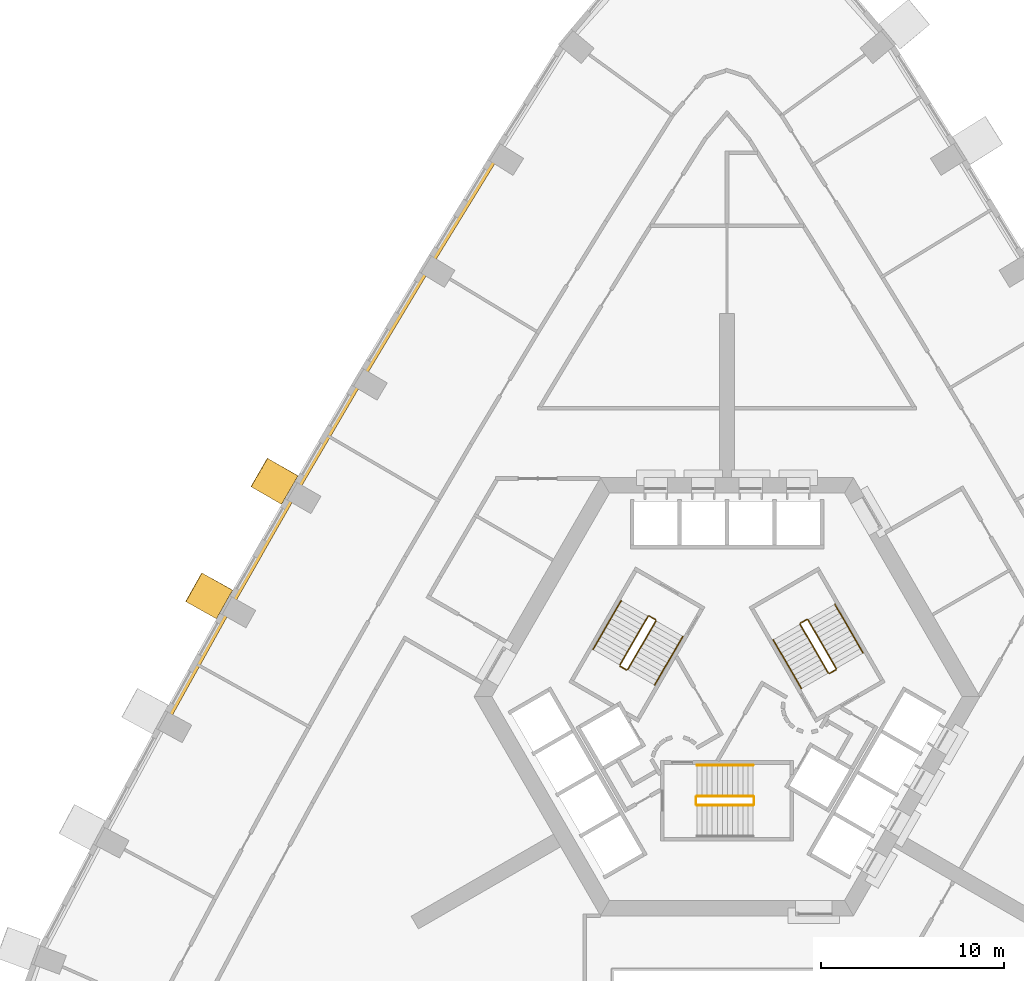
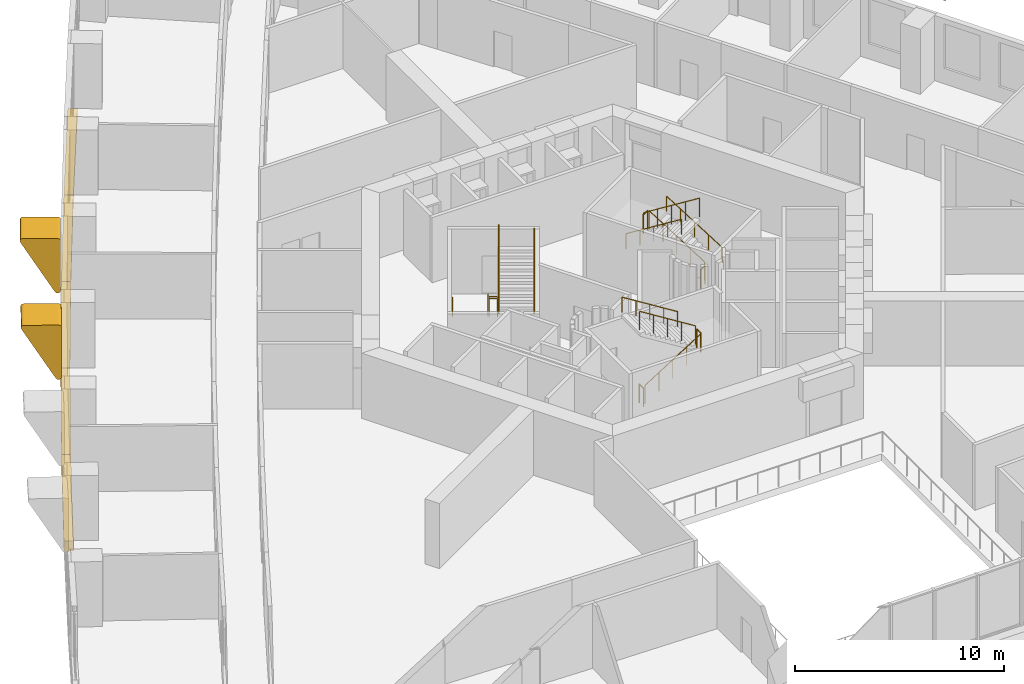
# One storey, part 14 of 15: 17 railings, 7 coverings.
"""IFC4 building model written with IfcOpenShell, lengths in metres."""

from ifc_helpers import new_model, si_unit, direction, frame, origin, origin_2d, place, context, subcontext, project, spatial, polyline, circle, outline, extrude, material, type_object, element, save


model = new_model("IFC4")

# Units and contexts
model_context = context("Model", 3, precision=1e-05, world=origin(), true_north=direction((0.0, 1.0)))
body_context = subcontext(model_context, "Body", "Model", "MODEL_VIEW")
ifc_project = project(units=[si_unit("LENGTHUNIT", "METRE"), si_unit("AREAUNIT", "SQUARE_METRE"), si_unit("VOLUMEUNIT", "CUBIC_METRE"), si_unit("PLANEANGLEUNIT", "RADIAN"), si_unit("MASSUNIT", "GRAM", prefix="KILO")], contexts=[model_context])

# Site, building, storey
site_placement = place(None, origin())
site = spatial("IfcSite", under=ifc_project, at=site_placement, CompositionType="ELEMENT")
building_placement = place(site_placement, origin())
building = spatial("IfcBuilding", under=site, at=building_placement, Name="Entoto Arch Interchange Tower", CompositionType="ELEMENT")
storey_placement = place(building_placement, frame((0.0, 0.0, 124.39990234375)))
storey = spatial("IfcBuildingStorey", under=building, at=storey_placement, Name="L27", CompositionType="ELEMENT", Elevation=124.39990234375)

# Coverings
ifc_material_1 = material(Name="Board-marked precast concrete C50/60", Category="concrete")
covering_type_1 = type_object("IfcCoveringType", Name="PRECAST FRAME COURSE", PredefinedType="CLADDING", material=ifc_material_1)
covering_1_placement = place(storey_placement, frame((-23.738037109375, 14.743896484375, 4.691162109375), z_axis=(0.500140388336, 0.865938788151, 0.003099537362), x_axis=(0.516946734937, -0.295697585507, -0.803323727499)))
element("IfcCovering", 1, at=covering_1_placement, inside=storey, type_object=covering_type_1, Name="Fold rib NW05 L27-L28", PredefinedType="CLADDING", context=body_context, shape_type="SweptSolid", body=[
    extrude(outline(polyline([(0.0, 0.0), (0.028570666671691218, 0.0), (0.057610352516691624, -0.003915163049142932), (0.09734213600752796, -0.021844387716010848), (0.13086792592598678, -0.05067223577123786), (0.15390650291182956, -0.08666665805586443), (0.1667039675143345, -0.1289373569372848), (0.16629567663061692, -0.17224991470814624), (0.15265031291816186, -0.21410701740661187), (0.13735503339616767, -0.23898326857059868), (0.11838735780776323, -0.26013212432107985), (-2.2105103916634463, -1.9868301529322256), (-2.2351475713006397, -2.0023812761392104), (-2.277663461940592, -2.0155439319840593), (-2.3215250842265487, -2.0150031016828835), (-2.3631799633377994, -2.002265580066234), (-2.400100674640114, -1.9778783645186768), (-2.419947110432887, -1.9560312913217381), (-3.399979984595618, -0.634053413354954), (-3.420746368033437, -0.5945618504862975), (-3.428207952733813, -0.5656387758727881), (-3.4290666596910784, -0.5361947718145581), (-3.4247879998200332, -0.5067082805624892), (-3.4141634002791883, -0.4788151855982328), (-3.39842362071562, -0.45331672507950094), (-3.3781688940391295, -0.43185124050557855), (-3.3535408165434832, -0.4146461874933651), (-3.32661321067979, -0.40218628910877996), (-3.2976276259265536, -0.3961888078870428), (0.0, 0.0)])), origin(), (0.0, 0.0, -1.0), 1.800048828125),
])
covering_2_placement = place(storey_placement, frame((-27.323974609375, 8.47998046875, 4.692138671875), z_axis=(0.489637789698, 0.871921029133, 0.002924697337), x_axis=(0.546388938074, -0.304213842162, -0.780328819529)))
element("IfcCovering", 2, at=covering_2_placement, inside=storey, type_object=covering_type_1, Name="Fold rib NW06 L27-L28", PredefinedType="CLADDING", context=body_context, shape_type="SweptSolid", body=[
    extrude(outline(polyline([(0.0, 0.0), (0.043490028193446995, 0.0), (0.07186840916622605, -0.0065203200466328465), (0.09885996424286905, -0.01755997031124379), (0.13238177735718543, -0.045334975770120384), (0.15799561014853228, -0.08041909181372783), (0.1713709789914825, -0.1224824904477769), (0.1725930553207981, -0.16578060667910735), (0.16182569023801868, -0.20817178618865245), (0.14747150024658634, -0.23359866357735337), (0.12806289672482152, -0.2558343737097621), (-2.1329737863867257, -2.068540292243241), (-2.1570087220305663, -2.085006962219482), (-2.1991336636901506, -2.0995926551445283), (-2.2428521487990802, -2.1008669305082357), (-2.2851864307709584, -2.089425321107239), (-2.322697440479203, -2.0668240486641714), (-2.343787432320063, -2.0451917438847844), (-3.3710247759267524, -0.7633993144007585), (-3.393421117130608, -0.7245258789385847), (-3.4020381564563733, -0.695812386941649), (-3.404004279110872, -0.6664210856745267), (-3.400536815845894, -0.6371743626103827), (-3.3909687879772674, -0.6089016798756475), (-3.376502380078499, -0.5824468745595595), (-3.3572271722935687, -0.5600452720018645), (-3.3332608635644814, -0.5419296425791977), (-3.306364032733981, -0.5290325119982586), (-3.2781562083147677, -0.5212878002108201), (0.0, 0.0)])), origin(), (0.0, 0.0, -1.0), 1.800048828125),
])
covering_type_2 = type_object("IfcCoveringType", Name="PRECAST LEDGE COURSE", PredefinedType="CLADDING", material=ifc_material_1)
covering_3_placement = place(storey_placement, frame((0.0, 0.0, -1.0)))
element("IfcCovering", 3, at=covering_3_placement, inside=storey, type_object=covering_type_2, Name="Precast course NW-02 L27", PredefinedType="CLADDING", context=body_context, shape_type="SweptSolid", body=[
    extrude(outline(polyline([(-16.2109375, 26.007080078125), (-16.60009765625, 26.243896484375), (-12.8291015625, 32.39404296875), (-12.43798828125, 32.14990234375), (-16.2109375, 26.007080078125)])), origin(), (0.0, 0.0, 1.0), 0.60009765625),
])
covering_4_placement = place(storey_placement, frame((0.0, 0.0, -1.0)))
element("IfcCovering", 4, at=covering_4_placement, inside=storey, type_object=covering_type_2, Name="Precast course NW-03 L27", PredefinedType="CLADDING", context=body_context, shape_type="SweptSolid", body=[
    extrude(outline(polyline([(-19.9169921875, 19.822998046875), (-20.305908203125, 20.053955078125), (-16.60009765625, 26.243896484375), (-16.2109375, 26.007080078125), (-19.9169921875, 19.822998046875)])), origin(), (0.0, 0.0, 1.0), 0.60009765625),
])
covering_5_placement = place(storey_placement, frame((0.0, 0.0, -1.0)))
element("IfcCovering", 5, at=covering_5_placement, inside=storey, type_object=covering_type_2, Name="Precast course NW-04 L27", PredefinedType="CLADDING", context=body_context, shape_type="SweptSolid", body=[
    extrude(outline(polyline([(-23.555908203125, 13.60009765625), (-23.945068359375, 13.824951171875), (-20.305908203125, 20.053955078125), (-19.9169921875, 19.822998046875), (-23.555908203125, 13.60009765625)])), origin(), (0.0, 0.0, 1.0), 0.60009765625),
])
covering_6_placement = place(storey_placement, frame((0.0, 0.0, -1.0)))
element("IfcCovering", 6, at=covering_6_placement, inside=storey, type_object=covering_type_2, Name="Precast course NW-05 L27", PredefinedType="CLADDING", context=body_context, shape_type="SweptSolid", body=[
    extrude(outline(polyline([(-27.1259765625, 7.3369140625), (-27.52001953125, 7.55810546875), (-23.945068359375, 13.824951171875), (-23.555908203125, 13.60009765625), (-27.1259765625, 7.3369140625)])), origin(), (0.0, 0.0, 1.0), 0.60009765625),
])
covering_7_placement = place(storey_placement, frame((0.0, 0.0, -1.0)))
element("IfcCovering", 7, at=covering_7_placement, inside=storey, type_object=covering_type_2, Name="Precast course NW-06 L27", PredefinedType="CLADDING", context=body_context, shape_type="SweptSolid", body=[
    extrude(outline(polyline([(-30.6279296875, 1.035888671875), (-31.028076171875, 1.25390625), (-27.52001953125, 7.55810546875), (-27.1259765625, 7.3369140625), (-30.6279296875, 1.035888671875)])), origin(), (0.0, 0.0, 1.0), 0.60009765625),
])

# Railings
ifc_material_2 = material(Name="Stainless steel 1.4301", Category="steel")
railing_type_1 = type_object("IfcRailingType", Name="STAIR GUARD 1100 STEEL", PredefinedType="GUARDRAIL", material=ifc_material_2)
railing_1_placement = place(storey_placement, frame((-1.64990234375, -3.449951171875, 0.175048828125)))
element("IfcRailing", 8, at=railing_1_placement, inside=storey, type_object=railing_type_1, Name="L27 ST-S stair guard 1", PredefinedType="GUARDRAIL", context=body_context, shape_type="SweptSolid", body=[
    extrude(circle(Radius=0.02392578125, at=origin_2d()), frame((0.0, 0.0, 1.076171875), z_axis=(0.847979421464, 0.0, 0.530029150871), x_axis=(0.0, 1.0, 0.0)), (0.0, 0.0, 1.0), 3.632080078125),
    extrude(circle(Radius=0.02099609375, at=origin_2d()), origin(), (0.0, 0.0, 1.0), 1.052001953125),
    extrude(circle(Radius=0.02099609375, at=origin_2d()), frame((0.77001953125, 0.0, 0.481201171875)), (0.0, 0.0, 1.0), 1.052001953125),
    extrude(circle(Radius=0.02099609375, at=origin_2d()), frame((1.5400390625, 0.0, 0.96240234375)), (0.0, 0.0, 1.0), 1.052001953125),
    extrude(circle(Radius=0.02099609375, at=origin_2d()), frame((2.309814453125, 0.0, 1.44384765625)), (0.0, 0.0, 1.0), 1.052001953125),
    extrude(circle(Radius=0.02099609375, at=origin_2d()), frame((3.079833984375, 0.0, 1.925048828125)), (0.0, 0.0, 1.0), 1.052001953125),
])
railing_2_placement = place(storey_placement, frame((1.47998046875, -3.39990234375, 2.10009765625)))
element("IfcRailing", 9, at=railing_2_placement, inside=storey, type_object=railing_type_1, Name="L27 ST-S stair guard 2", PredefinedType="GUARDRAIL", context=body_context, shape_type="SweptSolid", body=[
    extrude(circle(Radius=0.02392578125, at=origin_2d()), frame((0.0, 0.0, 1.076171875), z_axis=(0.0, 1.0, 0.0), x_axis=(-1.0, 0.0, 0.0)), (0.0, 0.0, 1.0), 0.39990234375),
    extrude(circle(Radius=0.02099609375, at=origin_2d()), origin(), (0.0, 0.0, 1.0), 1.052001953125),
    extrude(circle(Radius=0.02099609375, at=origin_2d()), frame((0.0, 0.39990234375, 0.0)), (0.0, 0.0, 1.0), 1.052001953125),
])
railing_3_placement = place(storey_placement, frame((1.429931640625, -2.949951171875, 2.275146484375)))
element("IfcRailing", 10, at=railing_3_placement, inside=storey, type_object=railing_type_1, Name="L27 ST-S stair guard 3", PredefinedType="GUARDRAIL", context=body_context, shape_type="SweptSolid", body=[
    extrude(circle(Radius=0.02392578125, at=origin_2d()), frame((0.0, 0.0, 1.076171875), z_axis=(-0.847979421464, 0.0, 0.530029150871), x_axis=(0.0, -1.0, 0.0)), (0.0, 0.0, 1.0), 3.632080078125),
    extrude(circle(Radius=0.02099609375, at=origin_2d()), origin(), (0.0, 0.0, 1.0), 1.052001953125),
    extrude(circle(Radius=0.02099609375, at=origin_2d()), frame((-0.77001953125, 0.0, 0.481201171875)), (0.0, 0.0, 1.0), 1.052001953125),
    extrude(circle(Radius=0.02099609375, at=origin_2d()), frame((-1.5400390625, 0.0, 0.96240234375)), (0.0, 0.0, 1.0), 1.052001953125),
    extrude(circle(Radius=0.02099609375, at=origin_2d()), frame((-2.309814453125, 0.0, 1.44384765625)), (0.0, 0.0, 1.0), 1.052001953125),
    extrude(circle(Radius=0.02099609375, at=origin_2d()), frame((-3.079833984375, 0.0, 1.925048828125)), (0.0, 0.0, 1.0), 1.052001953125),
])
railing_4_placement = place(storey_placement, frame((-1.699951171875, -3.39990234375, 0.0)))
element("IfcRailing", 11, at=railing_4_placement, inside=storey, type_object=railing_type_1, Name="L27 ST-S stair guard 4", PredefinedType="GUARDRAIL", context=body_context, shape_type="SweptSolid", body=[
    extrude(circle(Radius=0.02392578125, at=origin_2d()), frame((0.0, 0.0, 1.076171875), z_axis=(0.0, 1.0, 0.0), x_axis=(-1.0, 0.0, 0.0)), (0.0, 0.0, 1.0), 0.39990234375),
    extrude(circle(Radius=0.02099609375, at=origin_2d()), origin(), (0.0, 0.0, 1.0), 1.052001953125),
    extrude(circle(Radius=0.02099609375, at=origin_2d()), frame((0.0, 0.39990234375, 0.0)), (0.0, 0.0, 1.0), 1.052001953125),
])
railing_5_placement = place(storey_placement, frame((5.977783203125, 4.046142578125, 0.175048828125)))
element("IfcRailing", 12, at=railing_5_placement, inside=storey, type_object=railing_type_1, Name="L27 ST-NE stair guard 1", PredefinedType="GUARDRAIL", context=body_context, shape_type="SweptSolid", body=[
    extrude(circle(Radius=0.02392578125, at=origin_2d()), frame((0.0, 0.0, 1.076171875), z_axis=(-0.424015404183, 0.734364028329, 0.530019255228), x_axis=(-0.866010015463, -0.500026652407, 0.0)), (0.0, 0.0, 1.0), 3.632080078125),
    extrude(circle(Radius=0.02099609375, at=origin_2d()), origin(), (0.0, 0.0, 1.0), 1.052001953125),
    extrude(circle(Radius=0.02099609375, at=origin_2d()), frame((-0.385009765625, 0.666748046875, 0.481201171875)), (0.0, 0.0, 1.0), 1.052001953125),
    extrude(circle(Radius=0.02099609375, at=origin_2d()), frame((-0.77001953125, 1.33349609375, 0.96240234375)), (0.0, 0.0, 1.0), 1.052001953125),
    extrude(circle(Radius=0.02099609375, at=origin_2d()), frame((-1.155029296875, 2.00048828125, 1.44384765625)), (0.0, 0.0, 1.0), 1.052001953125),
    extrude(circle(Radius=0.02099609375, at=origin_2d()), frame((-1.5400390625, 2.667236328125, 1.925048828125)), (0.0, 0.0, 1.0), 1.052001953125),
])
railing_6_placement = place(storey_placement, frame((4.36962890625, 6.731689453125, 2.10009765625)))
element("IfcRailing", 13, at=railing_6_placement, inside=storey, type_object=railing_type_1, Name="L27 ST-NE stair guard 2", PredefinedType="GUARDRAIL", context=body_context, shape_type="SweptSolid", body=[
    extrude(circle(Radius=0.02392578125, at=origin_2d()), frame((0.0, 0.0, 1.076171875), z_axis=(-0.866094119867, -0.499880961361, 0.0), x_axis=(0.499880961361, -0.866094119867, 0.0)), (0.0, 0.0, 1.0), 0.39990234375),
    extrude(circle(Radius=0.02099609375, at=origin_2d()), origin(), (0.0, 0.0, 1.0), 1.052001953125),
    extrude(circle(Radius=0.02099609375, at=origin_2d()), frame((-0.346435546875, -0.199951171875, 0.0)), (0.0, 0.0, 1.0), 1.052001953125),
])
railing_7_placement = place(storey_placement, frame((4.0048828125, 6.46337890625, 2.275146484375)))
element("IfcRailing", 14, at=railing_7_placement, inside=storey, type_object=railing_type_1, Name="L27 ST-NE stair guard 3", PredefinedType="GUARDRAIL", context=body_context, shape_type="SweptSolid", body=[
    extrude(circle(Radius=0.02392578125, at=origin_2d()), frame((0.0, 0.0, 1.076171875), z_axis=(0.424015404183, -0.734364028329, 0.530019255228), x_axis=(0.866010015463, 0.500026652407, 0.0)), (0.0, 0.0, 1.0), 3.632080078125),
    extrude(circle(Radius=0.02099609375, at=origin_2d()), origin(), (0.0, 0.0, 1.0), 1.052001953125),
    extrude(circle(Radius=0.02099609375, at=origin_2d()), frame((0.385009765625, -0.666748046875, 0.481201171875)), (0.0, 0.0, 1.0), 1.052001953125),
    extrude(circle(Radius=0.02099609375, at=origin_2d()), frame((0.77001953125, -1.33349609375, 0.96240234375)), (0.0, 0.0, 1.0), 1.052001953125),
    extrude(circle(Radius=0.02099609375, at=origin_2d()), frame((1.155029296875, -2.00048828125, 1.44384765625)), (0.0, 0.0, 1.0), 1.052001953125),
    extrude(circle(Radius=0.02099609375, at=origin_2d()), frame((1.5400390625, -2.667236328125, 1.925048828125)), (0.0, 0.0, 1.0), 1.052001953125),
])
railing_8_placement = place(storey_placement, frame((5.95947265625, 3.977783203125, 0.0)))
element("IfcRailing", 15, at=railing_8_placement, inside=storey, type_object=railing_type_1, Name="L27 ST-NE stair guard 4", PredefinedType="GUARDRAIL", context=body_context, shape_type="SweptSolid", body=[
    extrude(circle(Radius=0.02392578125, at=origin_2d()), frame((0.0, 0.0, 1.076171875), z_axis=(-0.866094119867, -0.499880961361, 0.0), x_axis=(0.499880961361, -0.866094119867, 0.0)), (0.0, 0.0, 1.0), 0.39990234375),
    extrude(circle(Radius=0.02099609375, at=origin_2d()), origin(), (0.0, 0.0, 1.0), 1.052001953125),
    extrude(circle(Radius=0.02099609375, at=origin_2d()), frame((-0.346435546875, -0.199951171875, 0.0)), (0.0, 0.0, 1.0), 1.052001953125),
])
railing_9_placement = place(storey_placement, frame((-4.327880859375, 6.904052734375, 0.175048828125)))
element("IfcRailing", 16, at=railing_9_placement, inside=storey, type_object=railing_type_1, Name="L27 ST-NW stair guard 1", PredefinedType="GUARDRAIL", context=body_context, shape_type="SweptSolid", body=[
    extrude(circle(Radius=0.02392578125, at=origin_2d()), frame((0.0, 0.0, 1.076171875), z_axis=(-0.423994474112, -0.734394994316, 0.52999309264), x_axis=(0.866029832698, -0.499992328818, 0.0)), (0.0, 0.0, 1.0), 3.63232421875),
    extrude(circle(Radius=0.02099609375, at=origin_2d()), origin(), (0.0, 0.0, 1.0), 1.052001953125),
    extrude(circle(Radius=0.02099609375, at=origin_2d()), frame((-0.385009765625, -0.6669921875, 0.481201171875)), (0.0, 0.0, 1.0), 1.052001953125),
    extrude(circle(Radius=0.02099609375, at=origin_2d()), frame((-0.77001953125, -1.333740234375, 0.96240234375)), (0.0, 0.0, 1.0), 1.052001953125),
    extrude(circle(Radius=0.02099609375, at=origin_2d()), frame((-1.155029296875, -2.00048828125, 1.44384765625)), (0.0, 0.0, 1.0), 1.052001953125),
    extrude(circle(Radius=0.02099609375, at=origin_2d()), frame((-1.5400390625, -2.66748046875, 1.925048828125)), (0.0, 0.0, 1.0), 1.052001953125),
])
railing_10_placement = place(storey_placement, frame((-5.849609375, 4.168212890625, 2.10009765625)))
element("IfcRailing", 17, at=railing_10_placement, inside=storey, type_object=railing_type_1, Name="L27 ST-NW stair guard 2", PredefinedType="GUARDRAIL", context=body_context, shape_type="SweptSolid", body=[
    extrude(circle(Radius=0.02392578125, at=origin_2d()), frame((0.0, 0.0, 1.076171875), z_axis=(0.866094119867, -0.499880961361, 0.0), x_axis=(0.499880961361, 0.866094119867, 0.0)), (0.0, 0.0, 1.0), 0.39990234375),
    extrude(circle(Radius=0.02099609375, at=origin_2d()), origin(), (0.0, 0.0, 1.0), 1.052001953125),
    extrude(circle(Radius=0.02099609375, at=origin_2d()), frame((0.346435546875, -0.199951171875, 0.0)), (0.0, 0.0, 1.0), 1.052001953125),
])
railing_11_placement = place(storey_placement, frame((-5.434814453125, 3.986572265625, 2.275146484375)))
element("IfcRailing", 18, at=railing_11_placement, inside=storey, type_object=railing_type_1, Name="L27 ST-NW stair guard 3", PredefinedType="GUARDRAIL", context=body_context, shape_type="SweptSolid", body=[
    extrude(circle(Radius=0.02392578125, at=origin_2d()), frame((0.0, 0.0, 1.076171875), z_axis=(0.423994474112, 0.734394994316, 0.52999309264), x_axis=(-0.866029832698, 0.499992328818, 0.0)), (0.0, 0.0, 1.0), 3.63232421875),
    extrude(circle(Radius=0.02099609375, at=origin_2d()), origin(), (0.0, 0.0, 1.0), 1.052001953125),
    extrude(circle(Radius=0.02099609375, at=origin_2d()), frame((0.385009765625, 0.6669921875, 0.481201171875)), (0.0, 0.0, 1.0), 1.052001953125),
    extrude(circle(Radius=0.02099609375, at=origin_2d()), frame((0.77001953125, 1.333740234375, 0.96240234375)), (0.0, 0.0, 1.0), 1.052001953125),
    extrude(circle(Radius=0.02099609375, at=origin_2d()), frame((1.155029296875, 2.00048828125, 1.44384765625)), (0.0, 0.0, 1.0), 1.052001953125),
    extrude(circle(Radius=0.02099609375, at=origin_2d()), frame((1.5400390625, 2.66748046875, 1.925048828125)), (0.0, 0.0, 1.0), 1.052001953125),
])
railing_12_placement = place(storey_placement, frame((-4.259521484375, 6.92236328125, 0.0)))
element("IfcRailing", 19, at=railing_12_placement, inside=storey, type_object=railing_type_1, Name="L27 ST-NW stair guard 4", PredefinedType="GUARDRAIL", context=body_context, shape_type="SweptSolid", body=[
    extrude(circle(Radius=0.02392578125, at=origin_2d()), frame((0.0, 0.0, 1.076171875), z_axis=(0.865829829939, -0.500338590944, 0.0), x_axis=(0.500338590944, 0.865829829939, 0.0)), (0.0, 0.0, 1.0), 0.400146484375),
    extrude(circle(Radius=0.02099609375, at=origin_2d()), origin(), (0.0, 0.0, 1.0), 1.052001953125),
    extrude(circle(Radius=0.02099609375, at=origin_2d()), frame((0.346435546875, -0.2001953125, 0.0)), (0.0, 0.0, 1.0), 1.052001953125),
])
railing_type_2 = type_object("IfcRailingType", Name="STAIR HANDRAIL 900 STEEL", PredefinedType="HANDRAIL", material=ifc_material_2)
railing_13_placement = place(storey_placement, frame((1.429931640625, -1.25, 2.275146484375)))
element("IfcRailing", 20, at=railing_13_placement, inside=storey, type_object=railing_type_2, Name="L27 ST-S stair handrail 2", PredefinedType="HANDRAIL", context=body_context, shape_type="SweptSolid", body=[
    extrude(circle(Radius=0.02392578125, at=origin_2d()), frame((0.0, 0.0, 0.8759765625), z_axis=(-0.847979421464, 0.0, 0.530029150871), x_axis=(0.0, -1.0, 0.0)), (0.0, 0.0, 1.0), 3.632080078125),
    extrude(circle(Radius=0.02099609375, at=origin_2d()), origin(), (0.0, 0.0, 1.0), 0.851806640625),
    extrude(circle(Radius=0.02099609375, at=origin_2d()), frame((-0.77001953125, 0.0, 0.481201171875)), (0.0, 0.0, 1.0), 0.851806640625),
    extrude(circle(Radius=0.02099609375, at=origin_2d()), frame((-1.5400390625, 0.0, 0.96240234375)), (0.0, 0.0, 1.0), 0.851806640625),
    extrude(circle(Radius=0.02099609375, at=origin_2d()), frame((-2.309814453125, 0.0, 1.44384765625)), (0.0, 0.0, 1.0), 0.851806640625),
    extrude(circle(Radius=0.02099609375, at=origin_2d()), frame((-3.079833984375, 0.0, 1.925048828125)), (0.0, 0.0, 1.0), 0.851806640625),
])
railing_14_placement = place(storey_placement, frame((7.4501953125, 4.89599609375, 0.175048828125)))
element("IfcRailing", 21, at=railing_14_placement, inside=storey, type_object=railing_type_2, Name="L27 ST-NE stair handrail 1", PredefinedType="HANDRAIL", context=body_context, shape_type="SweptSolid", body=[
    extrude(circle(Radius=0.02392578125, at=origin_2d()), frame((0.0, 0.0, 0.8759765625), z_axis=(-0.423994474112, 0.734394994316, 0.52999309264), x_axis=(-0.866029832698, -0.499992328818, 0.0)), (0.0, 0.0, 1.0), 3.63232421875),
    extrude(circle(Radius=0.02099609375, at=origin_2d()), origin(), (0.0, 0.0, 1.0), 0.851806640625),
    extrude(circle(Radius=0.02099609375, at=origin_2d()), frame((-0.385009765625, 0.6669921875, 0.481201171875)), (0.0, 0.0, 1.0), 0.851806640625),
    extrude(circle(Radius=0.02099609375, at=origin_2d()), frame((-0.77001953125, 1.333740234375, 0.96240234375)), (0.0, 0.0, 1.0), 0.851806640625),
    extrude(circle(Radius=0.02099609375, at=origin_2d()), frame((-1.155029296875, 2.00048828125, 1.44384765625)), (0.0, 0.0, 1.0), 0.851806640625),
    extrude(circle(Radius=0.02099609375, at=origin_2d()), frame((-1.5400390625, 2.66748046875, 1.925048828125)), (0.0, 0.0, 1.0), 0.851806640625),
])
railing_15_placement = place(storey_placement, frame((2.53271484375, 5.613525390625, 2.275146484375)))
element("IfcRailing", 22, at=railing_15_placement, inside=storey, type_object=railing_type_2, Name="L27 ST-NE stair handrail 2", PredefinedType="HANDRAIL", context=body_context, shape_type="SweptSolid", body=[
    extrude(circle(Radius=0.02392578125, at=origin_2d()), frame((0.0, 0.0, 0.8759765625), z_axis=(0.423939339791, -0.734415923031, 0.53000819633), x_axis=(0.866064153644, 0.499932877268, 0.0)), (0.0, 0.0, 1.0), 3.632080078125),
    extrude(circle(Radius=0.02099609375, at=origin_2d()), origin(), (0.0, 0.0, 1.0), 0.851806640625),
    extrude(circle(Radius=0.02099609375, at=origin_2d()), frame((0.385009765625, -0.6669921875, 0.481201171875)), (0.0, 0.0, 1.0), 0.851806640625),
    extrude(circle(Radius=0.02099609375, at=origin_2d()), frame((0.77001953125, -1.333740234375, 0.96240234375)), (0.0, 0.0, 1.0), 0.851806640625),
    extrude(circle(Radius=0.02099609375, at=origin_2d()), frame((1.15478515625, -2.00048828125, 1.44384765625)), (0.0, 0.0, 1.0), 0.851806640625),
    extrude(circle(Radius=0.02099609375, at=origin_2d()), frame((1.539794921875, -2.66748046875, 1.925048828125)), (0.0, 0.0, 1.0), 0.851806640625),
])
railing_16_placement = place(storey_placement, frame((-5.800048828125, 7.75390625, 0.175048828125)))
element("IfcRailing", 23, at=railing_16_placement, inside=storey, type_object=railing_type_2, Name="L27 ST-NW stair handrail 1", PredefinedType="HANDRAIL", context=body_context, shape_type="SweptSolid", body=[
    extrude(circle(Radius=0.02392578125, at=origin_2d()), frame((0.0, 0.0, 0.8759765625), z_axis=(-0.424015404183, -0.734364028329, 0.530019255228), x_axis=(0.866010015463, -0.500026652407, 0.0)), (0.0, 0.0, 1.0), 3.632080078125),
    extrude(circle(Radius=0.02099609375, at=origin_2d()), origin(), (0.0, 0.0, 1.0), 0.851806640625),
    extrude(circle(Radius=0.02099609375, at=origin_2d()), frame((-0.385009765625, -0.666748046875, 0.481201171875)), (0.0, 0.0, 1.0), 0.851806640625),
    extrude(circle(Radius=0.02099609375, at=origin_2d()), frame((-0.77001953125, -1.33349609375, 0.96240234375)), (0.0, 0.0, 1.0), 0.851806640625),
    extrude(circle(Radius=0.02099609375, at=origin_2d()), frame((-1.155029296875, -2.00048828125, 1.44384765625)), (0.0, 0.0, 1.0), 0.851806640625),
    extrude(circle(Radius=0.02099609375, at=origin_2d()), frame((-1.5400390625, -2.667236328125, 1.925048828125)), (0.0, 0.0, 1.0), 0.851806640625),
])
railing_17_placement = place(storey_placement, frame((-3.962646484375, 3.136474609375, 2.275146484375)))
element("IfcRailing", 24, at=railing_17_placement, inside=storey, type_object=railing_type_2, Name="L27 ST-NW stair handrail 2", PredefinedType="HANDRAIL", context=body_context, shape_type="SweptSolid", body=[
    extrude(circle(Radius=0.02392578125, at=origin_2d()), frame((0.0, 0.0, 0.8759765625), z_axis=(0.423994474112, 0.734394994316, 0.52999309264), x_axis=(-0.866029832698, 0.499992328818, 0.0)), (0.0, 0.0, 1.0), 3.63232421875),
    extrude(circle(Radius=0.02099609375, at=origin_2d()), origin(), (0.0, 0.0, 1.0), 0.851806640625),
    extrude(circle(Radius=0.02099609375, at=origin_2d()), frame((0.385009765625, 0.6669921875, 0.481201171875)), (0.0, 0.0, 1.0), 0.851806640625),
    extrude(circle(Radius=0.02099609375, at=origin_2d()), frame((0.77001953125, 1.333740234375, 0.96240234375)), (0.0, 0.0, 1.0), 0.851806640625),
    extrude(circle(Radius=0.02099609375, at=origin_2d()), frame((1.155029296875, 2.00048828125, 1.44384765625)), (0.0, 0.0, 1.0), 0.851806640625),
    extrude(circle(Radius=0.02099609375, at=origin_2d()), frame((1.5400390625, 2.66748046875, 1.925048828125)), (0.0, 0.0, 1.0), 0.851806640625),
])

save(model, "model.ifc")
